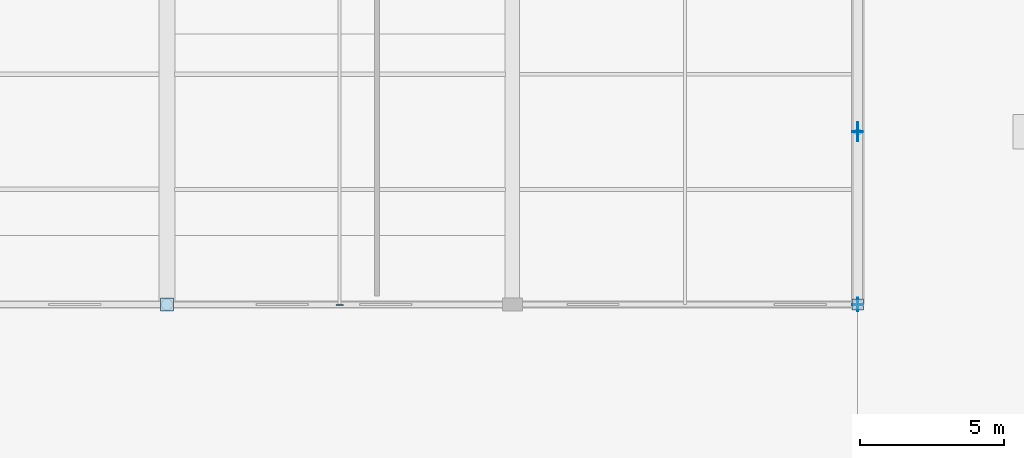
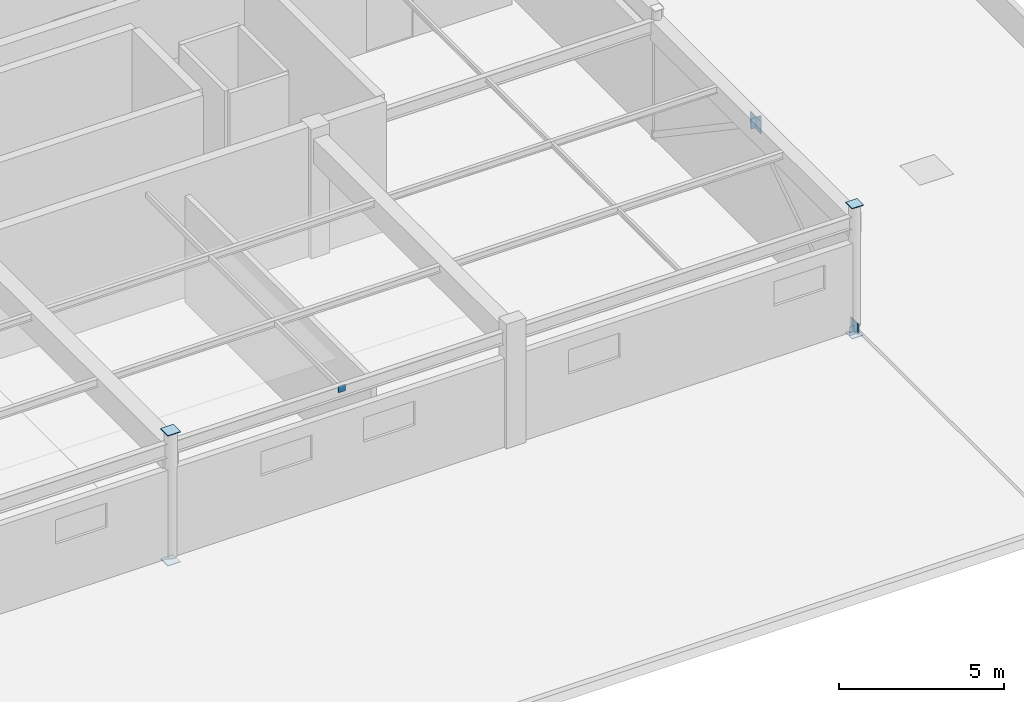
# One storey, part 130 of 186: 10 plates.
"""IFC4 building model written with IfcOpenShell, lengths in metres."""

import ifcopenshell
import ifcopenshell.guid

model = None  # the IFC model being written
_history = None  # IfcOwnerHistory: only IFC2X3 demands one
_inside = {}  # id of a spatial element -> (the spatial element, [elements in it])
_under = {}  # id of a project, library or spatial element -> (it, [spatial elements below it])
_declared = {}  # id of a project -> (the project, [libraries it declares])
_typed = {}  # id of a type object -> (the type object, [elements of that type])
_made_of = {}  # id of a material, layer set ... -> (it, [elements and type objects made of it])


def new_model(schema):
    """Start an empty IFC model of exactly this schema.

    Asked for "IFC4X3", IfcOpenShell would pick the latest addendum, in which some entities
    have other attributes; the version numbers below select the first issue.
    IFC2X3 requires an IfcOwnerHistory on every rooted entity: one is made here for all.
    """
    global model, _history
    if schema == "IFC4X3":
        model = ifcopenshell.file(schema_version=(4, 3, 0, 0))
    else:
        model = ifcopenshell.file(schema=schema)
    _inside.clear()
    _under.clear()
    _declared.clear()
    _typed.clear()
    _made_of.clear()
    _history = None
    if model.schema == "IFC2X3":
        org = make("IfcOrganization", Name="unknown")
        user = make(
            "IfcPersonAndOrganization",
            ThePerson=make("IfcPerson", FamilyName="unknown"),
            TheOrganization=org,
        )
        app = make(
            "IfcApplication",
            ApplicationDeveloper=org,
            Version="unknown",
            ApplicationFullName="unknown",
            ApplicationIdentifier="unknown",
        )
        _history = make(
            "IfcOwnerHistory",
            OwningUser=user,
            OwningApplication=app,
            ChangeAction="ADDED",
            CreationDate=0,
        )
    return model


def make(cls, **values):
    """One entity of the class cls with the attributes given. An attribute that is None is left unset."""
    return model.create_entity(
        cls, **{name: value for name, value in values.items() if value is not None}
    )


def rooted(cls, **values):
    """An entity with a GlobalId (a new one), such as an element, a storey or a relation."""
    return make(cls, GlobalId=ifcopenshell.guid.new(), OwnerHistory=_history, **values)


def si_unit(unit_type, name, prefix=None):
    """IfcSIUnit, for example si_unit("LENGTHUNIT", "METRE", prefix="MILLI")."""
    return make("IfcSIUnit", UnitType=unit_type, Prefix=prefix, Name=name)


def assignment(units):
    """IfcUnitAssignment: the units of a project."""
    return None if units is None else make("IfcUnitAssignment", Units=units)


def point(xyz):
    """IfcCartesianPoint."""
    return None if xyz is None else make("IfcCartesianPoint", Coordinates=xyz)


def direction(xyz):
    """IfcDirection."""
    return None if xyz is None else make("IfcDirection", DirectionRatios=xyz)


def frame(location, z_axis=None, x_axis=None):
    """IfcAxis2Placement3D, a coordinate frame: its origin and axes. An axis left out is left unset."""
    return make(
        "IfcAxis2Placement3D",
        Location=point(location),
        Axis=direction(z_axis),
        RefDirection=direction(x_axis),
    )


def frame_2d(location, x_axis=None):
    """IfcAxis2Placement2D, a coordinate frame in the plane: its origin and x axis."""
    return make(
        "IfcAxis2Placement2D", Location=point(location), RefDirection=direction(x_axis)
    )


def origin():
    """The frame at (0, 0, 0) with its axes left unset."""
    return frame((0.0, 0.0, 0.0))


def origin_2d():
    """The frame at (0, 0) in the plane with its x axis left unset."""
    return frame_2d((0.0, 0.0))


def place(relative_to, where):
    """IfcLocalPlacement: puts the frame where relative to a parent placement (None: the world)."""
    return make(
        "IfcLocalPlacement", PlacementRelTo=relative_to, RelativePlacement=where
    )


def context(
    kind, dimensions, precision=None, world=None, true_north=None, identifier=None
):
    """IfcGeometricRepresentationContext, for example the 3D "Model" context."""
    return make(
        "IfcGeometricRepresentationContext",
        ContextIdentifier=identifier,
        ContextType=kind,
        CoordinateSpaceDimension=dimensions,
        Precision=precision,
        WorldCoordinateSystem=world,
        TrueNorth=true_north,
    )


def subcontext(parent, identifier, kind, view, scale=None):
    """IfcGeometricRepresentationSubContext, for example "Body" below "Model"."""
    return make(
        "IfcGeometricRepresentationSubContext",
        ContextIdentifier=identifier,
        ContextType=kind,
        ParentContext=parent,
        TargetScale=scale,
        TargetView=view,
    )


def project(units=None, contexts=None):
    """IfcProject with its units and contexts."""
    return rooted(
        "IfcProject",
        Name="project",
        RepresentationContexts=contexts,
        UnitsInContext=assignment(units),
    )


def spatial(cls, under=None, at=None, **own):
    """A site, building, storey or space (cls), placed at a placement, below another one or the project."""
    s = rooted(cls, ObjectPlacement=at, **own)
    if under is not None:
        _under.setdefault(under.id(), (under, []))[1].append(s)
    return s


def profile(cls, at=None, kind="AREA", **sizes):
    """A parametric profile (cls). Its sizes go by their IFC names, for example OverallWidth=200.0."""
    return make(cls, ProfileType=kind, Position=at, **sizes)


def rectangle(**sizes):
    """IfcRectangleProfileDef."""
    return profile("IfcRectangleProfileDef", **sizes)


def extrude(swept, where, along, depth):
    """IfcExtrudedAreaSolid: the profile swept, set in the frame where, extruded along a direction by depth."""
    return make(
        "IfcExtrudedAreaSolid",
        SweptArea=swept,
        Position=where,
        ExtrudedDirection=direction(along),
        Depth=depth,
    )


def shape(context_of_items, identifier, shape_type, items):
    """IfcShapeRepresentation: the items that make up one representation, for example the "Body"."""
    return make(
        "IfcShapeRepresentation",
        ContextOfItems=context_of_items,
        RepresentationIdentifier=identifier,
        RepresentationType=shape_type,
        Items=items,
    )


def material(Name=None, Category=None):
    """IfcMaterial."""
    return make("IfcMaterial", Name=Name, Category=Category)


def layer(
    of_material, thickness, ventilated=None, Name=None, Category=None, Priority=None
):
    """IfcMaterialLayer: one layer of a wall or slab, of a material (None: an air gap)."""
    return make(
        "IfcMaterialLayer",
        Material=of_material,
        LayerThickness=thickness,
        IsVentilated=ventilated,
        Name=Name,
        Category=Category,
        Priority=Priority,
    )


def layer_set(layers, Name=None):
    """IfcMaterialLayerSet."""
    return make("IfcMaterialLayerSet", MaterialLayers=layers, LayerSetName=Name)


def made_of(thing, what):
    """Note that an element or type object is made of a material, layer set ...; save() writes the relation."""
    if what is not None:
        _made_of.setdefault(what.id(), (what, []))[1].append(thing)
    return thing


def type_object(cls, material=None, **own):
    """A type object (cls), such as IfcWallType, which elements share."""
    return made_of(rooted(cls, **own), material)


def element(
    cls,
    number,
    at=None,
    inside=None,
    cuts=None,
    type_object=None,
    material=None,
    context=None,
    identifier="Body",
    shape_type=None,
    held_by="IfcProductDefinitionShape",
    body=None,
    shapes=None,
    **own,
):
    """One element of the class cls, such as IfcWall. Its Tag is "e" and its number.

    at: its placement. inside: the storey or other place that contains it. cuts: it is an
    opening in that element (IfcRelVoidsElement). A single representation is given by context,
    identifier, shape_type and body (its items); several are given by shapes. held_by: the class
    of the entity that holds the representations. save() writes the other relations.
    """
    e = rooted(cls, Tag="e%d" % number, ObjectPlacement=at, **own)
    if body is not None:
        shapes = [shape(context, identifier, shape_type, body)]
    if shapes is not None:
        e.Representation = make(held_by, Representations=shapes)
    if inside is not None:
        _inside.setdefault(inside.id(), (inside, []))[1].append(e)
    if cuts is not None:
        rooted(
            "IfcRelVoidsElement", RelatingBuildingElement=cuts, RelatedOpeningElement=e
        )
    if type_object is not None:
        _typed.setdefault(type_object.id(), (type_object, []))[1].append(e)
    return made_of(e, material)


def aggregate(whole, parts):
    """IfcRelAggregates: a whole, such as a stair, and the parts it consists of."""
    return rooted("IfcRelAggregates", RelatingObject=whole, RelatedObjects=parts)


def save(model, path):
    """Write the relations noted so far, then the file.

    IfcRelAggregates (storeys below a building ...), IfcRelContainedInSpatialStructure (elements
    in a storey), IfcRelDefinesByType, IfcRelAssociatesMaterial and IfcRelDeclares: one each for
    every whole, place, type object, material and project.
    """
    for whole, parts in _under.values():
        aggregate(whole, parts)
    for where, things in _inside.values():
        rooted(
            "IfcRelContainedInSpatialStructure",
            RelatedElements=things,
            RelatingStructure=where,
        )
    for kind, things in _typed.values():
        rooted("IfcRelDefinesByType", RelatedObjects=things, RelatingType=kind)
    for what, things in _made_of.values():
        rooted("IfcRelAssociatesMaterial", RelatedObjects=things, RelatingMaterial=what)
    for by, libraries in _declared.values():
        rooted("IfcRelDeclares", RelatingContext=by, RelatedDefinitions=libraries)
    model.write(path)


model = new_model("IFC4")

# Units and contexts
model_context = context("Model", 3, precision=1e-05, world=origin(), true_north=direction((0.0, 1.0)))
body_context = subcontext(model_context, "Body", "Model", "MODEL_VIEW")
ifc_project = project(units=[si_unit("LENGTHUNIT", "METRE"), si_unit("AREAUNIT", "SQUARE_METRE"), si_unit("VOLUMEUNIT", "CUBIC_METRE"), si_unit("PLANEANGLEUNIT", "RADIAN"), si_unit("MASSUNIT", "GRAM", prefix="KILO")], contexts=[model_context])

# Site, building, storey
site_placement = place(None, origin())
site = spatial("IfcSite", under=ifc_project, at=site_placement, CompositionType="ELEMENT")
building_placement = place(site_placement, origin())
building = spatial("IfcBuilding", under=site, at=building_placement, Name="Tarnwether General Hospital", CompositionType="ELEMENT")
storey_placement = place(building_placement, frame((0.0, 0.0, 9.60009765625)))
storey = spatial("IfcBuildingStorey", under=building, at=storey_placement, Name="L02", CompositionType="ELEMENT", Elevation=9.60009765625)

# Plates
ifc_material_1 = material(Name="Steel Grade 350 (350 MPa)", Category="steel")
ifc_layer_1 = layer(ifc_material_1, 0.02001953125)
ifc_layer_set_1 = layer_set([ifc_layer_1], Name="Steel Grade 350 (350 MPa)")
plate_type_1 = type_object("IfcPlateType", Name="PT-GUS1", PredefinedType="USERDEFINED", material=ifc_layer_set_1)
plate_1_placement = place(storey_placement, frame((48.0, 63.60009765625, 3.96484375), z_axis=(0.0, 0.0, 1.0), x_axis=(0.0, 1.0, 0.0)))
element("IfcPlate", 1, at=plate_1_placement, inside=storey, type_object=plate_type_1, Name="Chevron Brace Apex Gusset Plate 031", ObjectType="GUSSET", PredefinedType="USERDEFINED", context=body_context, shape_type="SweptSolid", body=[
    extrude(rectangle(XDim=0.64990234375, YDim=0.02001953125, at=origin_2d()), origin(), (0.0, 0.0, 1.0), 0.449951171875),
])
ifc_material_2 = material(Name="Steel Grade 350 (350 MPa)", Category="steel")
ifc_layer_2 = layer(ifc_material_2, 0.02490234375)
ifc_layer_set_2 = layer_set([ifc_layer_2], Name="Steel Grade 350 (350 MPa)")
plate_type_2 = type_object("IfcPlateType", Name="PT-GUS2", PredefinedType="USERDEFINED", material=ifc_layer_set_2)
plate_2_placement = place(storey_placement, frame((48.0, 57.60009765625, 0.10986328125), z_axis=(0.0, 0.0, 1.0), x_axis=(0.0, 1.0, 0.0)))
element("IfcPlate", 2, at=plate_2_placement, inside=storey, type_object=plate_type_2, Name="Brace Base Gusset Plate 029", ObjectType="GUSSET", PredefinedType="USERDEFINED", context=body_context, shape_type="SweptSolid", body=[
    extrude(rectangle(XDim=0.4599609375, YDim=0.02490234375, at=origin_2d()), origin(), (0.0, 0.0, 1.0), 0.3798828125),
])
for number, where, z_axis, x_axis, name in (
    (3, (24.0, 57.60009765625, -0.025146484375), (0.0, 0.0, 1.0), (1.0, 0.0, 0.0), "Hollow Section Welded End Cap Plate 0041"),
    (4, (24.0, 57.60009765625, 4.800048828125), (0.0, 0.0, 1.0), (1.0, 0.0, 0.0), "Hollow Section Welded End Cap Plate 0042"),
):
    element("IfcPlate", number, at=place(storey_placement, frame(where, z_axis=z_axis, x_axis=x_axis)), inside=storey, type_object=plate_type_2, Name=name, ObjectType="GUSSET", PredefinedType="USERDEFINED", context=body_context, shape_type="SweptSolid", body=[
        extrude(rectangle(XDim=0.446044921875, YDim=0.446044921875, at=origin_2d()), origin(), (0.0, 0.0, 1.0), 0.02490234375),
    ])
for number, where, z_axis, x_axis, name in (
    (5, (48.0, 57.60009765625, -0.025146484375), (0.0, 0.0, 1.0), (1.0, 0.0, 0.0), "Hollow Section Welded End Cap Plate 0081"),
    (6, (48.0, 57.60009765625, 4.800048828125), (0.0, 0.0, 1.0), (1.0, 0.0, 0.0), "Hollow Section Welded End Cap Plate 0082"),
):
    element("IfcPlate", number, at=place(storey_placement, frame(where, z_axis=z_axis, x_axis=x_axis)), inside=storey, type_object=plate_type_2, Name=name, ObjectType="GUSSET", PredefinedType="USERDEFINED", context=body_context, shape_type="SweptSolid", body=[
        extrude(rectangle(XDim=0.39599609375, YDim=0.39599609375, at=origin_2d()), origin(), (0.0, 0.0, 1.0), 0.02490234375),
    ])
for number, where, z_axis, x_axis, name in (
    (7, (48.0, 57.589599609375, -0.04931640625), (0.0, 0.0, 1.0), (0.0, 1.0, 0.0), "Hollow Section Welded End Cap Plate 1215"),
    (8, (48.0, 63.6103515625, 4.01513671875), (0.0, 0.0, 1.0), (0.0, 1.0, 0.0), "Hollow Section Welded End Cap Plate 1216"),
    (9, (48.0, 63.589599609375, 4.01513671875), (0.0, 0.0, 1.0), (0.0, -1.0, 0.0), "Hollow Section Welded End Cap Plate 1218"),
):
    element("IfcPlate", number, at=place(storey_placement, frame(where, z_axis=z_axis, x_axis=x_axis)), inside=storey, type_object=plate_type_2, Name=name, ObjectType="GUSSET", PredefinedType="USERDEFINED", context=body_context, shape_type="SweptSolid", body=[
        extrude(rectangle(XDim=0.02490234375, YDim=0.364013671875, at=origin_2d()), origin(), (0.0, 0.0, 1.0), 0.364013671875),
    ])
plate_3_placement = place(storey_placement, frame((30.0, 57.58740234375, 4.15966796875), z_axis=(0.0, 0.0, 1.0), x_axis=(0.0, 1.0, 0.0)))
element("IfcPlate", 10, at=plate_3_placement, inside=storey, type_object=plate_type_2, Name="Hollow Section Welded End Cap Plate 1391", ObjectType="GUSSET", PredefinedType="USERDEFINED", context=body_context, shape_type="SweptSolid", body=[
    extrude(rectangle(XDim=0.02490234375, YDim=0.239990234375, at=origin_2d()), origin(), (0.0, 0.0, 1.0), 0.239990234375),
])

save(model, "model.ifc")
